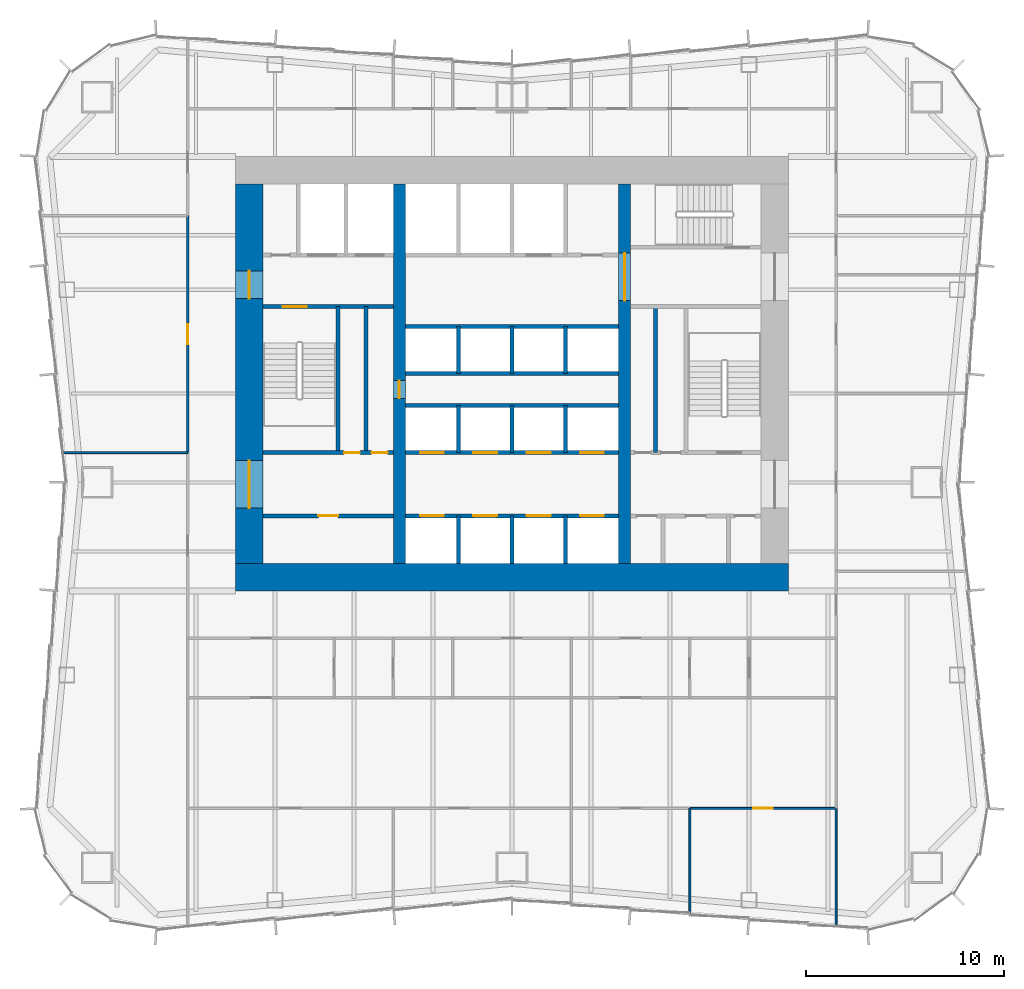
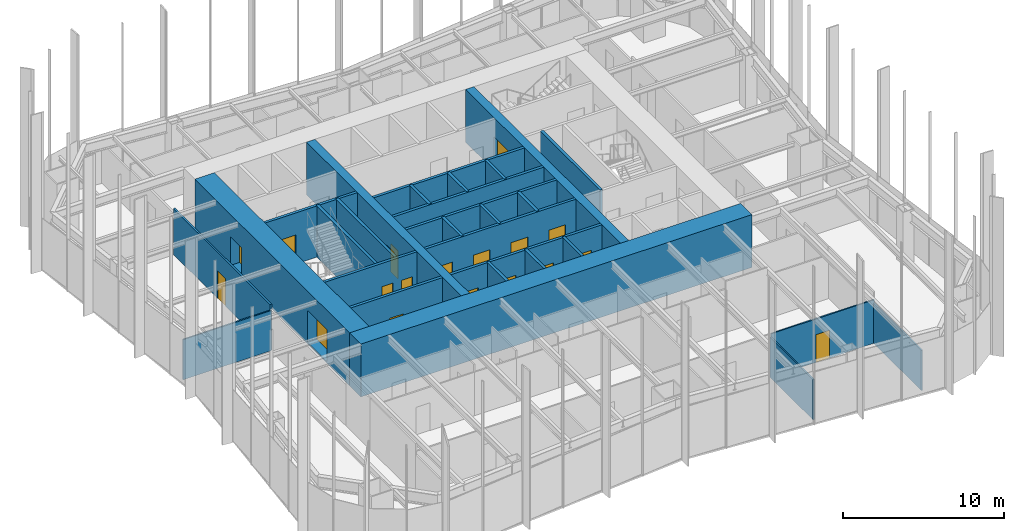
# One storey, part 10 of 13: 29 walls, 18 doors, 18 openings.
"""IFC4 building model written with IfcOpenShell, lengths in metres."""

from ifc_helpers import new_model, si_unit, direction, frame, frame_2d, origin, place, context, subcontext, project, spatial, rectangle, extrude, material, layer, layer_set, type_object, element, fill, save


model = new_model("IFC4")

# Units and contexts
model_context = context("Model", 3, precision=1e-05, world=origin(), true_north=direction((0.0, 1.0)))
body_context = subcontext(model_context, "Body", "Model", "MODEL_VIEW")
ifc_project = project(units=[si_unit("LENGTHUNIT", "METRE"), si_unit("AREAUNIT", "SQUARE_METRE"), si_unit("VOLUMEUNIT", "CUBIC_METRE"), si_unit("PLANEANGLEUNIT", "RADIAN"), si_unit("MASSUNIT", "GRAM", prefix="KILO")], contexts=[model_context])

# Site, building, storey
site_placement = place(None, origin())
site = spatial("IfcSite", under=ifc_project, at=site_placement, CompositionType="ELEMENT")
building_placement = place(site_placement, origin())
building = spatial("IfcBuilding", under=site, at=building_placement, Name="Verdant Reach Tower", CompositionType="ELEMENT")
storey_placement = place(building_placement, frame((0.0, 0.0, 26.0)))
storey = spatial("IfcBuildingStorey", under=building, at=storey_placement, Name="L05", CompositionType="ELEMENT", Elevation=26.0)

# Wall, opening, door
ifc_material_1 = material(Name="Gypsum board on steel studs", Category="steel")
ifc_layer_1 = layer(ifc_material_1, 0.199951171875)
ifc_layer_set_1 = layer_set([ifc_layer_1], Name="CO-WALL-ROOM")
wall_type_1 = type_object("IfcWallType", Name="CO-WALL-ROOM", PredefinedType="PARTITIONING", material=ifc_layer_set_1)
wall_1_placement = place(storey_placement, frame((-12.60009765625, 20.800048828125, 0.0), z_axis=(0.0, 0.0, 1.0), x_axis=(1.0, 0.0, 0.0)))
wall_1 = element("IfcWall", 1, at=wall_1_placement, inside=storey, type_object=wall_type_1, Name="Core partition, L05", PredefinedType="PARTITIONING", context=body_context, shape_type="SweptSolid", body=[
    extrude(rectangle(XDim=6.60009765625, YDim=0.199951171875, at=frame_2d((3.300048828125, 0.0))), origin(), (0.0, 0.0, 1.0), 3.8701171875),
])
opening_1_placement = place(wall_1_placement, frame((2.800048828125, 0.0, 0.0)))
opening_1 = element("IfcOpeningElement", 2, at=opening_1_placement, cuts=wall_1, Name="Opening CD", PredefinedType="OPENING", context=body_context, shape_type="SweptSolid", body=[
    extrude(rectangle(XDim=1.0, YDim=2.10009765625, at=frame_2d((0.5, 1.050048828125))), frame((0.0, 0.10986328125, 0.0), z_axis=(0.0, -1.0, 0.0), x_axis=(1.0, 0.0, 0.0)), (0.0, 0.0, 1.0), 0.219970703125),
])
ifc_material_2 = material(Name="Timber", Category="wood")
door_type_1 = type_object("IfcDoorType", Name="CO-DOOR-ROOM", OperationType="NOTDEFINED", PredefinedType="DOOR", material=ifc_material_2)
door_1_placement = place(opening_1_placement, origin())
door_1 = element("IfcDoor", 3, at=door_1_placement, inside=storey, type_object=door_type_1, Name="Core room door, L05", OperationType="SINGLE_SWING_LEFT", OverallHeight=2.10009765625, OverallWidth=1.0, PredefinedType="DOOR", context=body_context, shape_type="SweptSolid", body=[
    extrude(rectangle(XDim=1.0, YDim=2.10009765625, at=frame_2d((0.5, 1.050048828125))), frame((0.0, 0.02490234375, 0.0), z_axis=(0.0, -1.0, 0.0), x_axis=(1.0, 0.0, 0.0)), (0.0, 0.0, 1.0), 0.050048828125),
])
fill(opening_1, door_1)

# Walls
for number, where, z_axis, x_axis, name in (
    (4, (-7.39990234375, 24.0, 0.0), (0.0, 0.0, 1.0), (0.0, 1.0, 0.0), "Core partition, L05"),
    (5, (7.260009765625, 24.0, 0.0), (0.0, 0.0, 1.0), (0.0, 1.0, 0.0), "Core partition, L05"),
):
    element("IfcWall", number, at=place(storey_placement, frame(where, z_axis=z_axis, x_axis=x_axis)), inside=storey, type_object=wall_type_1, Name=name, PredefinedType="PARTITIONING", context=body_context, shape_type="SweptSolid", body=[
        extrude(rectangle(XDim=7.39990234375, YDim=0.199951171875, at=frame_2d((3.699951171875, 0.0))), origin(), (0.0, 0.0, 1.0), 3.8701171875),
    ])

# Wall, openings, doors
ifc_material_3 = material(Name="Concrete C40/50", Category="concrete")
ifc_layer_2 = layer(ifc_material_3, 0.199951171875)
ifc_layer_set_2 = layer_set([ifc_layer_2], Name="CO-WALL-SHAFT")
wall_type_2 = type_object("IfcWallType", Name="CO-WALL-SHAFT", PredefinedType="PARTITIONING", material=ifc_layer_set_2)
wall_2_placement = place(storey_placement, frame((-5.39990234375, 20.800048828125, 0.0), z_axis=(0.0, 0.0, 1.0), x_axis=(1.0, 0.0, 0.0)))
wall_2 = element("IfcWall", 6, at=wall_2_placement, inside=storey, type_object=wall_type_2, Name="Lift shaft wall, L05", PredefinedType="PARTITIONING", context=body_context, shape_type="SweptSolid", body=[
    extrude(rectangle(XDim=10.7998046875, YDim=0.199951171875, at=frame_2d((5.39990234375, 0.0))), origin(), (0.0, 0.0, 1.0), 3.8701171875),
])
opening_2_placement = place(wall_2_placement, frame((0.75, 0.0, 0.0)))
opening_2 = element("IfcOpeningElement", 7, at=opening_2_placement, cuts=wall_2, Name="Opening LD-A1", PredefinedType="OPENING", context=body_context, shape_type="SweptSolid", body=[
    extrude(rectangle(XDim=1.199951171875, YDim=2.199951171875, at=frame_2d((0.60009765625, 1.10009765625))), frame((0.0, 0.10986328125, 0.0), z_axis=(0.0, -1.0, 0.0), x_axis=(1.0, 0.0, 0.0)), (0.0, 0.0, 1.0), 0.219970703125),
])
opening_3_placement = place(wall_2_placement, frame((3.449951171875, 0.0, 0.0)))
opening_3 = element("IfcOpeningElement", 8, at=opening_3_placement, cuts=wall_2, Name="Opening LD-A2", PredefinedType="OPENING", context=body_context, shape_type="SweptSolid", body=[
    extrude(rectangle(XDim=1.199951171875, YDim=2.199951171875, at=frame_2d((0.60009765625, 1.10009765625))), frame((0.0, 0.10986328125, 0.0), z_axis=(0.0, -1.0, 0.0), x_axis=(1.0, 0.0, 0.0)), (0.0, 0.0, 1.0), 0.219970703125),
])
opening_4_placement = place(wall_2_placement, frame((6.14990234375, 0.0, 0.0)))
opening_4 = element("IfcOpeningElement", 9, at=opening_4_placement, cuts=wall_2, Name="Opening LD-A3", PredefinedType="OPENING", context=body_context, shape_type="SweptSolid", body=[
    extrude(rectangle(XDim=1.199951171875, YDim=2.199951171875, at=frame_2d((0.60009765625, 1.10009765625))), frame((0.0, 0.10986328125, 0.0), z_axis=(0.0, -1.0, 0.0), x_axis=(1.0, 0.0, 0.0)), (0.0, 0.0, 1.0), 0.219970703125),
])
opening_5_placement = place(wall_2_placement, frame((8.85009765625, 0.0, 0.0)))
opening_5 = element("IfcOpeningElement", 10, at=opening_5_placement, cuts=wall_2, Name="Opening LD-A4", PredefinedType="OPENING", context=body_context, shape_type="SweptSolid", body=[
    extrude(rectangle(XDim=1.199951171875, YDim=2.199951171875, at=frame_2d((0.60009765625, 1.10009765625))), frame((0.0, 0.10986328125, 0.0), z_axis=(0.0, -1.0, 0.0), x_axis=(1.0, 0.0, 0.0)), (0.0, 0.0, 1.0), 0.219970703125),
])
ifc_material_4 = material(Name="Stainless steel", Category="steel")
door_type_2 = type_object("IfcDoorType", Name="CO-DOOR-LANDING", OperationType="SLIDING_TO_LEFT", PredefinedType="DOOR", material=ifc_material_4)
door_2_placement = place(opening_2_placement, origin())
door_2 = element("IfcDoor", 11, at=door_2_placement, inside=storey, type_object=door_type_2, Name="Landing door A1, L05", OperationType="SLIDING_TO_LEFT", OverallHeight=2.199951171875, OverallWidth=1.199951171875, PredefinedType="DOOR", context=body_context, shape_type="SweptSolid", body=[
    extrude(rectangle(XDim=1.199951171875, YDim=2.199951171875, at=frame_2d((0.60009765625, 1.10009765625))), frame((0.0, 0.02490234375, 0.0), z_axis=(0.0, -1.0, 0.0), x_axis=(1.0, 0.0, 0.0)), (0.0, 0.0, 1.0), 0.050048828125),
])
fill(opening_2, door_2)
door_3_placement = place(opening_3_placement, origin())
door_3 = element("IfcDoor", 12, at=door_3_placement, inside=storey, type_object=door_type_2, Name="Landing door A2, L05", OperationType="SLIDING_TO_LEFT", OverallHeight=2.199951171875, OverallWidth=1.199951171875, PredefinedType="DOOR", context=body_context, shape_type="SweptSolid", body=[
    extrude(rectangle(XDim=1.199951171875, YDim=2.199951171875, at=frame_2d((0.60009765625, 1.10009765625))), frame((0.0, 0.02490234375, 0.0), z_axis=(0.0, -1.0, 0.0), x_axis=(1.0, 0.0, 0.0)), (0.0, 0.0, 1.0), 0.050048828125),
])
fill(opening_3, door_3)
door_4_placement = place(opening_4_placement, origin())
door_4 = element("IfcDoor", 13, at=door_4_placement, inside=storey, type_object=door_type_2, Name="Landing door A3, L05", OperationType="SLIDING_TO_LEFT", OverallHeight=2.199951171875, OverallWidth=1.199951171875, PredefinedType="DOOR", context=body_context, shape_type="SweptSolid", body=[
    extrude(rectangle(XDim=1.199951171875, YDim=2.199951171875, at=frame_2d((0.60009765625, 1.10009765625))), frame((0.0, 0.02490234375, 0.0), z_axis=(0.0, -1.0, 0.0), x_axis=(1.0, 0.0, 0.0)), (0.0, 0.0, 1.0), 0.050048828125),
])
fill(opening_4, door_4)
door_5_placement = place(opening_5_placement, origin())
door_5 = element("IfcDoor", 14, at=door_5_placement, inside=storey, type_object=door_type_2, Name="Landing door A4, L05", OperationType="SLIDING_TO_LEFT", OverallHeight=2.199951171875, OverallWidth=1.199951171875, PredefinedType="DOOR", context=body_context, shape_type="SweptSolid", body=[
    extrude(rectangle(XDim=1.199951171875, YDim=2.199951171875, at=frame_2d((0.60009765625, 1.10009765625))), frame((0.0, 0.02490234375, 0.0), z_axis=(0.0, -1.0, 0.0), x_axis=(1.0, 0.0, 0.0)), (0.0, 0.0, 1.0), 0.050048828125),
])
fill(opening_5, door_5)

wall_3_placement = place(storey_placement, frame((-5.39990234375, 24.0, 0.0), z_axis=(0.0, 0.0, 1.0), x_axis=(1.0, 0.0, 0.0)))
wall_3 = element("IfcWall", 15, at=wall_3_placement, inside=storey, type_object=wall_type_2, Name="Lift shaft wall, L05", PredefinedType="PARTITIONING", context=body_context, shape_type="SweptSolid", body=[
    extrude(rectangle(XDim=10.7998046875, YDim=0.199951171875, at=frame_2d((5.39990234375, 0.0))), origin(), (0.0, 0.0, 1.0), 3.8701171875),
])
opening_6_placement = place(wall_3_placement, frame((0.75, 0.0, 0.0)))
opening_6 = element("IfcOpeningElement", 16, at=opening_6_placement, cuts=wall_3, Name="Opening LD-A5", PredefinedType="OPENING", context=body_context, shape_type="SweptSolid", body=[
    extrude(rectangle(XDim=1.199951171875, YDim=2.199951171875, at=frame_2d((0.60009765625, 1.10009765625))), frame((0.0, 0.10986328125, 0.0), z_axis=(0.0, -1.0, 0.0), x_axis=(1.0, 0.0, 0.0)), (0.0, 0.0, 1.0), 0.219970703125),
])
opening_7_placement = place(wall_3_placement, frame((3.449951171875, 0.0, 0.0)))
opening_7 = element("IfcOpeningElement", 17, at=opening_7_placement, cuts=wall_3, Name="Opening LD-A6", PredefinedType="OPENING", context=body_context, shape_type="SweptSolid", body=[
    extrude(rectangle(XDim=1.199951171875, YDim=2.199951171875, at=frame_2d((0.60009765625, 1.10009765625))), frame((0.0, 0.10986328125, 0.0), z_axis=(0.0, -1.0, 0.0), x_axis=(1.0, 0.0, 0.0)), (0.0, 0.0, 1.0), 0.219970703125),
])
opening_8_placement = place(wall_3_placement, frame((6.14990234375, 0.0, 0.0)))
opening_8 = element("IfcOpeningElement", 18, at=opening_8_placement, cuts=wall_3, Name="Opening LD-A7", PredefinedType="OPENING", context=body_context, shape_type="SweptSolid", body=[
    extrude(rectangle(XDim=1.199951171875, YDim=2.199951171875, at=frame_2d((0.60009765625, 1.10009765625))), frame((0.0, 0.10986328125, 0.0), z_axis=(0.0, -1.0, 0.0), x_axis=(1.0, 0.0, 0.0)), (0.0, 0.0, 1.0), 0.219970703125),
])
opening_9_placement = place(wall_3_placement, frame((8.85009765625, 0.0, 0.0)))
opening_9 = element("IfcOpeningElement", 19, at=opening_9_placement, cuts=wall_3, Name="Opening LD-A8", PredefinedType="OPENING", context=body_context, shape_type="SweptSolid", body=[
    extrude(rectangle(XDim=1.199951171875, YDim=2.199951171875, at=frame_2d((0.60009765625, 1.10009765625))), frame((0.0, 0.10986328125, 0.0), z_axis=(0.0, -1.0, 0.0), x_axis=(1.0, 0.0, 0.0)), (0.0, 0.0, 1.0), 0.219970703125),
])
door_6_placement = place(opening_6_placement, origin())
door_6 = element("IfcDoor", 20, at=door_6_placement, inside=storey, type_object=door_type_2, Name="Landing door A5, L05", OperationType="SLIDING_TO_LEFT", OverallHeight=2.199951171875, OverallWidth=1.199951171875, PredefinedType="DOOR", context=body_context, shape_type="SweptSolid", body=[
    extrude(rectangle(XDim=1.199951171875, YDim=2.199951171875, at=frame_2d((0.60009765625, 1.10009765625))), frame((0.0, 0.02490234375, 0.0), z_axis=(0.0, -1.0, 0.0), x_axis=(1.0, 0.0, 0.0)), (0.0, 0.0, 1.0), 0.050048828125),
])
fill(opening_6, door_6)
door_7_placement = place(opening_7_placement, origin())
door_7 = element("IfcDoor", 21, at=door_7_placement, inside=storey, type_object=door_type_2, Name="Landing door A6, L05", OperationType="SLIDING_TO_LEFT", OverallHeight=2.199951171875, OverallWidth=1.199951171875, PredefinedType="DOOR", context=body_context, shape_type="SweptSolid", body=[
    extrude(rectangle(XDim=1.199951171875, YDim=2.199951171875, at=frame_2d((0.60009765625, 1.10009765625))), frame((0.0, 0.02490234375, 0.0), z_axis=(0.0, -1.0, 0.0), x_axis=(1.0, 0.0, 0.0)), (0.0, 0.0, 1.0), 0.050048828125),
])
fill(opening_7, door_7)
door_8_placement = place(opening_8_placement, origin())
door_8 = element("IfcDoor", 22, at=door_8_placement, inside=storey, type_object=door_type_2, Name="Landing door A7, L05", OperationType="SLIDING_TO_LEFT", OverallHeight=2.199951171875, OverallWidth=1.199951171875, PredefinedType="DOOR", context=body_context, shape_type="SweptSolid", body=[
    extrude(rectangle(XDim=1.199951171875, YDim=2.199951171875, at=frame_2d((0.60009765625, 1.10009765625))), frame((0.0, 0.02490234375, 0.0), z_axis=(0.0, -1.0, 0.0), x_axis=(1.0, 0.0, 0.0)), (0.0, 0.0, 1.0), 0.050048828125),
])
fill(opening_8, door_8)
door_9_placement = place(opening_9_placement, origin())
door_9 = element("IfcDoor", 23, at=door_9_placement, inside=storey, type_object=door_type_2, Name="Landing door A8, L05", OperationType="SLIDING_TO_LEFT", OverallHeight=2.199951171875, OverallWidth=1.199951171875, PredefinedType="DOOR", context=body_context, shape_type="SweptSolid", body=[
    extrude(rectangle(XDim=1.199951171875, YDim=2.199951171875, at=frame_2d((0.60009765625, 1.10009765625))), frame((0.0, 0.02490234375, 0.0), z_axis=(0.0, -1.0, 0.0), x_axis=(1.0, 0.0, 0.0)), (0.0, 0.0, 1.0), 0.050048828125),
])
fill(opening_9, door_9)

# Walls
for number, where, z_axis, x_axis, name in (
    (24, (-5.39990234375, 26.39990234375, 0.0), (0.0, 0.0, 1.0), (1.0, 0.0, 0.0), "Lift shaft wall, L05"),
    (25, (-5.39990234375, 28.0, 0.0), (0.0, 0.0, 1.0), (1.0, 0.0, 0.0), "Lift shaft wall, L05"),
    (26, (-5.39990234375, 30.39990234375, 0.0), (0.0, 0.0, 1.0), (1.0, 0.0, 0.0), "Lift shaft wall, L05"),
):
    element("IfcWall", number, at=place(storey_placement, frame(where, z_axis=z_axis, x_axis=x_axis)), inside=storey, type_object=wall_type_2, Name=name, PredefinedType="PARTITIONING", context=body_context, shape_type="SweptSolid", body=[
        extrude(rectangle(XDim=10.7998046875, YDim=0.199951171875, at=frame_2d((5.39990234375, 0.0))), origin(), (0.0, 0.0, 1.0), 3.8701171875),
    ])
wall_4_placement = place(storey_placement, frame((-2.699951171875, 18.39990234375, 0.0), z_axis=(0.0, 0.0, 1.0), x_axis=(0.0, 1.0, 0.0)))
element("IfcWall", 27, at=wall_4_placement, inside=storey, type_object=wall_type_2, Name="Lift shaft wall, L05", PredefinedType="PARTITIONING", context=body_context, shape_type="SweptSolid", body=[
    extrude(rectangle(XDim=2.400146484375, YDim=0.199951171875, at=frame_2d((1.2001953125, 0.0))), origin(), (0.0, 0.0, 1.0), 3.8701171875),
])
for number, where, z_axis, x_axis, name in (
    (28, (-2.699951171875, 24.0, 0.0), (0.0, 0.0, 1.0), (0.0, 1.0, 0.0), "Lift shaft wall, L05"),
    (29, (-2.699951171875, 28.0, 0.0), (0.0, 0.0, 1.0), (0.0, 1.0, 0.0), "Lift shaft wall, L05"),
):
    element("IfcWall", number, at=place(storey_placement, frame(where, z_axis=z_axis, x_axis=x_axis)), inside=storey, type_object=wall_type_2, Name=name, PredefinedType="PARTITIONING", context=body_context, shape_type="SweptSolid", body=[
        extrude(rectangle(XDim=2.39990234375, YDim=0.199951171875, at=frame_2d((1.199951171875, 0.0))), origin(), (0.0, 0.0, 1.0), 3.8701171875),
    ])
wall_5_placement = place(storey_placement, frame((0.0, 18.39990234375, 0.0), z_axis=(0.0, 0.0, 1.0), x_axis=(0.0, 1.0, 0.0)))
element("IfcWall", 30, at=wall_5_placement, inside=storey, type_object=wall_type_2, Name="Lift shaft wall, L05", PredefinedType="PARTITIONING", context=body_context, shape_type="SweptSolid", body=[
    extrude(rectangle(XDim=2.400146484375, YDim=0.199951171875, at=frame_2d((1.2001953125, 0.0))), origin(), (0.0, 0.0, 1.0), 3.8701171875),
])
for number, where, z_axis, x_axis, name in (
    (31, (0.0, 24.0, 0.0), (0.0, 0.0, 1.0), (0.0, 1.0, 0.0), "Lift shaft wall, L05"),
    (32, (0.0, 28.0, 0.0), (0.0, 0.0, 1.0), (0.0, 1.0, 0.0), "Lift shaft wall, L05"),
):
    element("IfcWall", number, at=place(storey_placement, frame(where, z_axis=z_axis, x_axis=x_axis)), inside=storey, type_object=wall_type_2, Name=name, PredefinedType="PARTITIONING", context=body_context, shape_type="SweptSolid", body=[
        extrude(rectangle(XDim=2.39990234375, YDim=0.199951171875, at=frame_2d((1.199951171875, 0.0))), origin(), (0.0, 0.0, 1.0), 3.8701171875),
    ])
wall_6_placement = place(storey_placement, frame((2.699951171875, 18.39990234375, 0.0), z_axis=(0.0, 0.0, 1.0), x_axis=(0.0, 1.0, 0.0)))
element("IfcWall", 33, at=wall_6_placement, inside=storey, type_object=wall_type_2, Name="Lift shaft wall, L05", PredefinedType="PARTITIONING", context=body_context, shape_type="SweptSolid", body=[
    extrude(rectangle(XDim=2.400146484375, YDim=0.199951171875, at=frame_2d((1.2001953125, 0.0))), origin(), (0.0, 0.0, 1.0), 3.8701171875),
])
for number, where, z_axis, x_axis, name in (
    (34, (2.699951171875, 24.0, 0.0), (0.0, 0.0, 1.0), (0.0, 1.0, 0.0), "Lift shaft wall, L05"),
    (35, (2.699951171875, 28.0, 0.0), (0.0, 0.0, 1.0), (0.0, 1.0, 0.0), "Lift shaft wall, L05"),
):
    element("IfcWall", number, at=place(storey_placement, frame(where, z_axis=z_axis, x_axis=x_axis)), inside=storey, type_object=wall_type_2, Name=name, PredefinedType="PARTITIONING", context=body_context, shape_type="SweptSolid", body=[
        extrude(rectangle(XDim=2.39990234375, YDim=0.199951171875, at=frame_2d((1.199951171875, 0.0))), origin(), (0.0, 0.0, 1.0), 3.8701171875),
    ])

# Wall, openings, doors
ifc_layer_3 = layer(ifc_material_3, 0.199951171875)
ifc_layer_set_3 = layer_set([ifc_layer_3], Name="CO-WALL-STAIR")
wall_type_3 = type_object("IfcWallType", Name="CO-WALL-STAIR", PredefinedType="PARTITIONING", material=ifc_layer_set_3)
wall_7_placement = place(storey_placement, frame((-12.60009765625, 24.0, 0.0), z_axis=(0.0, 0.0, 1.0), x_axis=(1.0, 0.0, 0.0)))
wall_7 = element("IfcWall", 36, at=wall_7_placement, inside=storey, type_object=wall_type_3, Name="Stair enclosure wall, L05", PredefinedType="PARTITIONING", context=body_context, shape_type="SweptSolid", body=[
    extrude(rectangle(XDim=6.60009765625, YDim=0.199951171875, at=frame_2d((3.300048828125, 0.0))), origin(), (0.0, 0.0, 1.0), 3.8701171875),
])
opening_10_placement = place(wall_7_placement, frame((4.10009765625, 0.0, 0.0)))
opening_10 = element("IfcOpeningElement", 37, at=opening_10_placement, cuts=wall_7, Name="Opening CDN", PredefinedType="OPENING", context=body_context, shape_type="SweptSolid", body=[
    extrude(rectangle(XDim=0.800048828125, YDim=2.10009765625, at=frame_2d((0.39990234375, 1.050048828125))), frame((0.0, 0.10986328125, 0.0), z_axis=(0.0, -1.0, 0.0), x_axis=(1.0, 0.0, 0.0)), (0.0, 0.0, 1.0), 0.219970703125),
])
opening_11_placement = place(wall_7_placement, frame((5.5, 0.0, 0.0)))
opening_11 = element("IfcOpeningElement", 38, at=opening_11_placement, cuts=wall_7, Name="Opening CDN", PredefinedType="OPENING", context=body_context, shape_type="SweptSolid", body=[
    extrude(rectangle(XDim=0.800048828125, YDim=2.10009765625, at=frame_2d((0.39990234375, 1.050048828125))), frame((0.0, 0.10986328125, 0.0), z_axis=(0.0, -1.0, 0.0), x_axis=(1.0, 0.0, 0.0)), (0.0, 0.0, 1.0), 0.219970703125),
])
door_type_3 = type_object("IfcDoorType", Name="CO-DOOR-ROOM-NARROW", OperationType="NOTDEFINED", PredefinedType="DOOR", material=ifc_material_2)
door_10_placement = place(opening_10_placement, origin())
door_10 = element("IfcDoor", 39, at=door_10_placement, inside=storey, type_object=door_type_3, Name="Core room door, L05", OperationType="SINGLE_SWING_LEFT", OverallHeight=2.10009765625, OverallWidth=0.800048828125, PredefinedType="DOOR", context=body_context, shape_type="SweptSolid", body=[
    extrude(rectangle(XDim=0.800048828125, YDim=2.10009765625, at=frame_2d((0.39990234375, 1.050048828125))), frame((0.0, 0.02490234375, 0.0), z_axis=(0.0, -1.0, 0.0), x_axis=(1.0, 0.0, 0.0)), (0.0, 0.0, 1.0), 0.050048828125),
])
fill(opening_10, door_10)
door_11_placement = place(opening_11_placement, origin())
door_11 = element("IfcDoor", 40, at=door_11_placement, inside=storey, type_object=door_type_3, Name="Core room door, L05", OperationType="SINGLE_SWING_RIGHT", OverallHeight=2.10009765625, OverallWidth=0.800048828125, PredefinedType="DOOR", context=body_context, shape_type="SweptSolid", body=[
    extrude(rectangle(XDim=0.800048828125, YDim=2.10009765625, at=frame_2d((0.39990234375, 1.050048828125))), frame((0.0, 0.02490234375, 0.0), z_axis=(0.0, -1.0, 0.0), x_axis=(1.0, 0.0, 0.0)), (0.0, 0.0, 1.0), 0.050048828125),
])
fill(opening_11, door_11)

# Wall, opening, door
wall_8_placement = place(storey_placement, frame((-12.60009765625, 31.39990234375, 0.0), z_axis=(0.0, 0.0, 1.0), x_axis=(1.0, 0.0, 0.0)))
wall_8 = element("IfcWall", 41, at=wall_8_placement, inside=storey, type_object=wall_type_3, Name="Stair enclosure wall, L05", PredefinedType="PARTITIONING", context=body_context, shape_type="SweptSolid", body=[
    extrude(rectangle(XDim=6.60009765625, YDim=0.199951171875, at=frame_2d((3.300048828125, 0.0))), origin(), (0.0, 0.0, 1.0), 3.8701171875),
])
opening_12_placement = place(wall_8_placement, frame((1.0, 0.0, 0.0)))
opening_12 = element("IfcOpeningElement", 42, at=opening_12_placement, cuts=wall_8, Name="Opening SD", PredefinedType="OPENING", context=body_context, shape_type="SweptSolid", body=[
    extrude(rectangle(XDim=1.199951171875, YDim=2.199951171875, at=frame_2d((0.60009765625, 1.10009765625))), frame((0.0, 0.10986328125, 0.0), z_axis=(0.0, -1.0, 0.0), x_axis=(1.0, 0.0, 0.0)), (0.0, 0.0, 1.0), 0.219970703125),
])
ifc_material_5 = material(Name="Steel", Category="steel")
door_type_4 = type_object("IfcDoorType", Name="CO-DOOR-STAIR", OperationType="NOTDEFINED", PredefinedType="DOOR", material=ifc_material_5)
door_12_placement = place(opening_12_placement, origin())
door_12 = element("IfcDoor", 43, at=door_12_placement, inside=storey, type_object=door_type_4, Name="Stair door, L05", OperationType="SINGLE_SWING_RIGHT", OverallHeight=2.199951171875, OverallWidth=1.199951171875, PredefinedType="DOOR", context=body_context, shape_type="SweptSolid", body=[
    extrude(rectangle(XDim=1.199951171875, YDim=2.199951171875, at=frame_2d((0.60009765625, 1.10009765625))), frame((0.0, 0.02490234375, 0.0), z_axis=(0.0, -1.0, 0.0), x_axis=(1.0, 0.0, 0.0)), (0.0, 0.0, 1.0), 0.050048828125),
])
fill(opening_12, door_12)

# Wall
wall_9_placement = place(storey_placement, frame((-8.800048828125, 24.0, 0.0), z_axis=(0.0, 0.0, 1.0), x_axis=(0.0, 1.0, 0.0)))
element("IfcWall", 44, at=wall_9_placement, inside=storey, type_object=wall_type_3, Name="Stair enclosure wall, L05", PredefinedType="PARTITIONING", context=body_context, shape_type="SweptSolid", body=[
    extrude(rectangle(XDim=7.39990234375, YDim=0.199951171875, at=frame_2d((3.699951171875, 0.0))), origin(), (0.0, 0.0, 1.0), 3.8701171875),
])

# Wall, opening, door
ifc_layer_4 = layer(ifc_material_1, 0.10009765625)
ifc_layer_set_4 = layer_set([ifc_layer_4], Name="FL-W1 Partition 100")
wall_type_4 = type_object("IfcWallType", Name="FL-W1 Partition 100", PredefinedType="PARTITIONING", material=ifc_layer_set_4)
wall_10_placement = place(storey_placement, frame((16.39990234375, 6.0, 0.0), z_axis=(0.0, 0.0, 1.0), x_axis=(-1.0, 0.0, 0.0)))
wall_10 = element("IfcWall", 45, at=wall_10_placement, inside=storey, type_object=wall_type_4, Name="Partition 05.45", PredefinedType="PARTITIONING", context=body_context, shape_type="SweptSolid", body=[
    extrude(rectangle(XDim=7.39990234375, YDim=0.10009765625, at=frame_2d((3.699951171875, 0.0))), origin(), (0.0, 0.0, 1.0), 3.2900390625),
])
opening_13_placement = place(wall_10_placement, frame((3.199951171875, 0.0, 0.0)))
opening_13 = element("IfcOpeningElement", 46, at=opening_13_placement, cuts=wall_10, Name="Opening D3", PredefinedType="OPENING", context=body_context, shape_type="SweptSolid", body=[
    extrude(rectangle(XDim=1.0, YDim=2.10009765625, at=frame_2d((0.5, 1.050048828125))), frame((0.0, 0.06005859375, 0.0), z_axis=(0.0, -1.0, 0.0), x_axis=(1.0, 0.0, 0.0)), (0.0, 0.0, 1.0), 0.1201171875),
])
ifc_material_6 = material(Name="Painted timber door leaf", Category="wood")
door_type_5 = type_object("IfcDoorType", Name="FL-D3 Door 1000x2100", OperationType="NOTDEFINED", PredefinedType="DOOR", material=ifc_material_6)
door_13_placement = place(opening_13_placement, origin())
door_13 = element("IfcDoor", 47, at=door_13_placement, inside=storey, type_object=door_type_5, Name="Door 05-027", OperationType="SINGLE_SWING_LEFT", OverallHeight=2.10009765625, OverallWidth=1.0, PredefinedType="DOOR", context=body_context, shape_type="SweptSolid", body=[
    extrude(rectangle(XDim=1.0, YDim=2.10009765625, at=frame_2d((0.5, 1.050048828125))), frame((0.0, 0.02490234375, 0.0), z_axis=(0.0, -1.0, 0.0), x_axis=(1.0, 0.0, 0.0)), (0.0, 0.0, 1.0), 0.050048828125),
])
fill(opening_13, door_13)

# Walls
wall_11_placement = place(storey_placement, frame((9.0, 0.669921875, 0.0), z_axis=(0.0, 0.0, 1.0), x_axis=(0.0, 1.0, 0.0)))
element("IfcWall", 48, at=wall_11_placement, inside=storey, type_object=wall_type_4, Name="Partition 05.47", PredefinedType="PARTITIONING", context=body_context, shape_type="SweptSolid", body=[
    extrude(rectangle(XDim=5.330078125, YDim=0.10009765625, at=frame_2d((2.6650390625, 0.0))), origin(), (0.0, 0.0, 1.0), 3.0400390625),
])
wall_12_placement = place(storey_placement, frame((16.39990234375, 0.05322265625, 0.0), z_axis=(0.0, 0.0, 1.0), x_axis=(0.0, 1.0, 0.0)))
element("IfcWall", 49, at=wall_12_placement, inside=storey, type_object=wall_type_4, Name="Partition 05.48", PredefinedType="PARTITIONING", context=body_context, shape_type="SweptSolid", body=[
    extrude(rectangle(XDim=5.95068359375, YDim=0.10009765625, at=frame_2d((2.975341796875, 0.0))), origin(), (0.0, 0.0, 1.0), 3.0400390625),
])
wall_13_placement = place(storey_placement, frame((-16.39990234375, 24.0, 0.0), z_axis=(0.0, 0.0, 1.0), x_axis=(-1.0, 0.0, 0.0)))
element("IfcWall", 50, at=wall_13_placement, inside=storey, type_object=wall_type_4, Name="Partition 05.56", PredefinedType="PARTITIONING", context=body_context, shape_type="SweptSolid", body=[
    extrude(rectangle(XDim=6.31640625, YDim=0.10009765625, at=frame_2d((3.158203125, 0.0))), origin(), (0.0, 0.0, 1.0), 3.0400390625),
])

# Wall, opening, door
ifc_material_7 = material(Name="Gypsum board on steel studs, fire rated", Category="steel")
ifc_layer_5 = layer(ifc_material_7, 0.125)
ifc_layer_set_5 = layer_set([ifc_layer_5], Name="FL-W2 Corridor wall 125")
wall_type_5 = type_object("IfcWallType", Name="FL-W2 Corridor wall 125", PredefinedType="PARTITIONING", material=ifc_layer_set_5)
wall_14_placement = place(storey_placement, frame((-16.39990234375, 24.0, 0.0), z_axis=(0.0, 0.0, 1.0), x_axis=(0.0, 1.0, 0.0)))
wall_14 = element("IfcWall", 51, at=wall_14_placement, inside=storey, type_object=wall_type_5, Name="Partition 05.15", PredefinedType="PARTITIONING", context=body_context, shape_type="SweptSolid", body=[
    extrude(rectangle(XDim=12.0, YDim=0.125, at=frame_2d((6.0, 0.0))), origin(), (0.0, 0.0, 1.0), 3.47998046875),
])
opening_14_placement = place(wall_14_placement, frame((5.5, 0.0, 0.0)))
opening_14 = element("IfcOpeningElement", 52, at=opening_14_placement, cuts=wall_14, Name="Opening D2", PredefinedType="OPENING", context=body_context, shape_type="SweptSolid", body=[
    extrude(rectangle(XDim=1.0, YDim=2.10009765625, at=frame_2d((0.5, 1.050048828125))), frame((0.0, 0.072509765625, 0.0), z_axis=(0.0, -1.0, 0.0), x_axis=(1.0, 0.0, 0.0)), (0.0, 0.0, 1.0), 0.14501953125),
])
ifc_material_8 = material(Name="Timber door leaf, fire rated", Category="wood")
door_type_6 = type_object("IfcDoorType", Name="FL-D2 Entrance door 1000x2100 FD30", OperationType="NOTDEFINED", PredefinedType="DOOR", material=ifc_material_8)
door_14_placement = place(opening_14_placement, origin())
door_14 = element("IfcDoor", 53, at=door_14_placement, inside=storey, type_object=door_type_6, Name="Door 05-011", OperationType="SINGLE_SWING_LEFT", OverallHeight=2.10009765625, OverallWidth=1.0, PredefinedType="DOOR", context=body_context, shape_type="SweptSolid", body=[
    extrude(rectangle(XDim=1.0, YDim=2.10009765625, at=frame_2d((0.5, 1.050048828125))), frame((0.0, 0.02490234375, 0.0), z_axis=(0.0, -1.0, 0.0), x_axis=(1.0, 0.0, 0.0)), (0.0, 0.0, 1.0), 0.050048828125),
])
fill(opening_14, door_14)

# Wall
ifc_material_9 = material(Name="Concrete C70/85", Category="concrete")
ifc_layer_6 = layer(ifc_material_9, 1.39990234375)
ifc_layer_set_6 = layer_set([ifc_layer_6], Name="ST-CORE-WALL-1400")
wall_type_6 = type_object("IfcWallType", Name="ST-CORE-WALL-1400", PredefinedType="SHEAR", material=ifc_layer_set_6)
wall_15_placement = place(storey_placement, frame((-14.0, 17.699951171875, -0.1298828125), z_axis=(0.0, 0.0, 1.0), x_axis=(1.0, 0.0, 0.0)))
element("IfcWall", 54, at=wall_15_placement, inside=storey, type_object=wall_type_6, Name="Core wall S, L05", PredefinedType="SHEAR", context=body_context, shape_type="SweptSolid", body=[
    extrude(rectangle(XDim=28.0, YDim=1.39990234375, at=frame_2d((14.0, 0.0))), origin(), (0.0, 0.0, 1.0), 4.0),
])

# Wall, openings, doors
wall_16_placement = place(storey_placement, frame((-13.300048828125, 18.39990234375, -0.1298828125), z_axis=(0.0, 0.0, 1.0), x_axis=(0.0, 1.0, 0.0)))
wall_16 = element("IfcWall", 55, at=wall_16_placement, inside=storey, type_object=wall_type_6, Name="Core wall W, L05", PredefinedType="SHEAR", context=body_context, shape_type="SweptSolid", body=[
    extrude(rectangle(XDim=19.2001953125, YDim=1.39990234375, at=frame_2d((9.60009765625, 0.0))), origin(), (0.0, 0.0, 1.0), 4.0),
])
opening_15_placement = place(wall_16_placement, frame((2.800048828125, 0.0, 0.1298828125)))
opening_15 = element("IfcOpeningElement", 56, at=opening_15_placement, cuts=wall_16, Name="Opening LB", PredefinedType="OPENING", context=body_context, shape_type="SweptSolid", body=[
    extrude(rectangle(XDim=2.39990234375, YDim=2.39990234375, at=frame_2d((1.199951171875, 1.199951171875))), frame((0.0, 0.7099609375, 0.0), z_axis=(0.0, -1.0, 0.0), x_axis=(1.0, 0.0, 0.0)), (0.0, 0.0, 1.0), 1.419921875),
])
opening_16_placement = place(wall_16_placement, frame((13.39990234375, 0.0, 0.1298828125)))
opening_16 = element("IfcOpeningElement", 57, at=opening_16_placement, cuts=wall_16, Name="Opening FL", PredefinedType="OPENING", context=body_context, shape_type="SweptSolid", body=[
    extrude(rectangle(XDim=1.39990234375, YDim=2.199951171875, at=frame_2d((0.699951171875, 1.10009765625))), frame((0.0, 0.7099609375, 0.0), z_axis=(0.0, -1.0, 0.0), x_axis=(1.0, 0.0, 0.0)), (0.0, 0.0, 1.0), 1.419921875),
])
door_type_7 = type_object("IfcDoorType", Name="CO-DOOR-FFL", OperationType="NOTDEFINED", PredefinedType="DOOR", material=ifc_material_5)
door_15_placement = place(opening_16_placement, origin())
door_15 = element("IfcDoor", 58, at=door_15_placement, inside=storey, type_object=door_type_7, Name="Core entrance door, L05", OperationType="SINGLE_SWING_RIGHT", OverallHeight=2.199951171875, OverallWidth=1.39990234375, PredefinedType="DOOR", context=body_context, shape_type="SweptSolid", body=[
    extrude(rectangle(XDim=1.39990234375, YDim=2.199951171875, at=frame_2d((0.699951171875, 1.10009765625))), frame((0.0, 0.02490234375, 0.0), z_axis=(0.0, -1.0, 0.0), x_axis=(1.0, 0.0, 0.0)), (0.0, 0.0, 1.0), 0.050048828125),
])
fill(opening_16, door_15)
ifc_material_10 = material(Name="Glass and steel", Category="steel")
door_type_8 = type_object("IfcDoorType", Name="CO-DOOR-LOBBY", OperationType="DOUBLE_DOOR_SINGLE_SWING", PredefinedType="DOOR", material=ifc_material_10)
door_16_placement = place(opening_15_placement, origin())
door_16 = element("IfcDoor", 59, at=door_16_placement, inside=storey, type_object=door_type_8, Name="Core entrance door, L05", OperationType="DOUBLE_DOOR_SINGLE_SWING", OverallHeight=2.39990234375, OverallWidth=2.39990234375, PredefinedType="DOOR", context=body_context, shape_type="SweptSolid", body=[
    extrude(rectangle(XDim=2.39990234375, YDim=2.39990234375, at=frame_2d((1.199951171875, 1.199951171875))), frame((0.0, 0.02490234375, 0.0), z_axis=(0.0, -1.0, 0.0), x_axis=(1.0, 0.0, 0.0)), (0.0, 0.0, 1.0), 0.050048828125),
])
fill(opening_15, door_16)

# Wall, opening, door
ifc_layer_7 = layer(ifc_material_9, 0.60009765625)
ifc_layer_set_7 = layer_set([ifc_layer_7], Name="ST-CORE-WALL-600")
wall_type_7 = type_object("IfcWallType", Name="ST-CORE-WALL-600", PredefinedType="SHEAR", material=ifc_layer_set_7)
wall_17_placement = place(storey_placement, frame((-5.699951171875, 18.39990234375, -0.1298828125), z_axis=(0.0, 0.0, 1.0), x_axis=(0.0, 1.0, 0.0)))
wall_17 = element("IfcWall", 60, at=wall_17_placement, inside=storey, type_object=wall_type_7, Name="Core wall XW, L05", PredefinedType="SHEAR", context=body_context, shape_type="SweptSolid", body=[
    extrude(rectangle(XDim=19.2001953125, YDim=0.60009765625, at=frame_2d((9.60009765625, 0.0))), origin(), (0.0, 0.0, 1.0), 4.0),
])
opening_17_placement = place(wall_17_placement, frame((8.35009765625, 0.0, 0.1298828125)))
opening_17 = element("IfcOpeningElement", 61, at=opening_17_placement, cuts=wall_17, Name="Opening RD", PredefinedType="OPENING", context=body_context, shape_type="SweptSolid", body=[
    extrude(rectangle(XDim=0.89990234375, YDim=2.10009765625, at=frame_2d((0.449951171875, 1.050048828125))), frame((0.0, 0.31005859375, 0.0), z_axis=(0.0, -1.0, 0.0), x_axis=(1.0, 0.0, 0.0)), (0.0, 0.0, 1.0), 0.6201171875),
])
door_type_9 = type_object("IfcDoorType", Name="CO-DOOR-RISER", OperationType="NOTDEFINED", PredefinedType="DOOR", material=ifc_material_5)
door_17_placement = place(opening_17_placement, origin())
door_17 = element("IfcDoor", 62, at=door_17_placement, inside=storey, type_object=door_type_9, Name="Riser door, L05", OperationType="SINGLE_SWING_RIGHT", OverallHeight=2.10009765625, OverallWidth=0.89990234375, PredefinedType="DOOR", context=body_context, shape_type="SweptSolid", body=[
    extrude(rectangle(XDim=0.89990234375, YDim=2.10009765625, at=frame_2d((0.449951171875, 1.050048828125))), frame((0.0, 0.02490234375, 0.0), z_axis=(0.0, -1.0, 0.0), x_axis=(1.0, 0.0, 0.0)), (0.0, 0.0, 1.0), 0.050048828125),
])
fill(opening_17, door_17)

wall_18_placement = place(storey_placement, frame((5.699951171875, 18.39990234375, -0.1298828125), z_axis=(0.0, 0.0, 1.0), x_axis=(0.0, 1.0, 0.0)))
wall_18 = element("IfcWall", 63, at=wall_18_placement, inside=storey, type_object=wall_type_7, Name="Core wall XE, L05", PredefinedType="SHEAR", context=body_context, shape_type="SweptSolid", body=[
    extrude(rectangle(XDim=19.2001953125, YDim=0.60009765625, at=frame_2d((9.60009765625, 0.0))), origin(), (0.0, 0.0, 1.0), 4.0),
])
opening_18_placement = place(wall_18_placement, frame((13.300048828125, 0.0, 0.1298828125)))
opening_18 = element("IfcOpeningElement", 64, at=opening_18_placement, cuts=wall_18, Name="Opening LB", PredefinedType="OPENING", context=body_context, shape_type="SweptSolid", body=[
    extrude(rectangle(XDim=2.39990234375, YDim=2.39990234375, at=frame_2d((1.199951171875, 1.199951171875))), frame((0.0, 0.31005859375, 0.0), z_axis=(0.0, -1.0, 0.0), x_axis=(1.0, 0.0, 0.0)), (0.0, 0.0, 1.0), 0.6201171875),
])
door_18_placement = place(opening_18_placement, origin())
door_18 = element("IfcDoor", 65, at=door_18_placement, inside=storey, type_object=door_type_8, Name="Core entrance door, L05", OperationType="DOUBLE_DOOR_SINGLE_SWING", OverallHeight=2.39990234375, OverallWidth=2.39990234375, PredefinedType="DOOR", context=body_context, shape_type="SweptSolid", body=[
    extrude(rectangle(XDim=2.39990234375, YDim=2.39990234375, at=frame_2d((1.199951171875, 1.199951171875))), frame((0.0, 0.02490234375, 0.0), z_axis=(0.0, -1.0, 0.0), x_axis=(1.0, 0.0, 0.0)), (0.0, 0.0, 1.0), 0.050048828125),
])
fill(opening_18, door_18)

save(model, "model.ifc")
